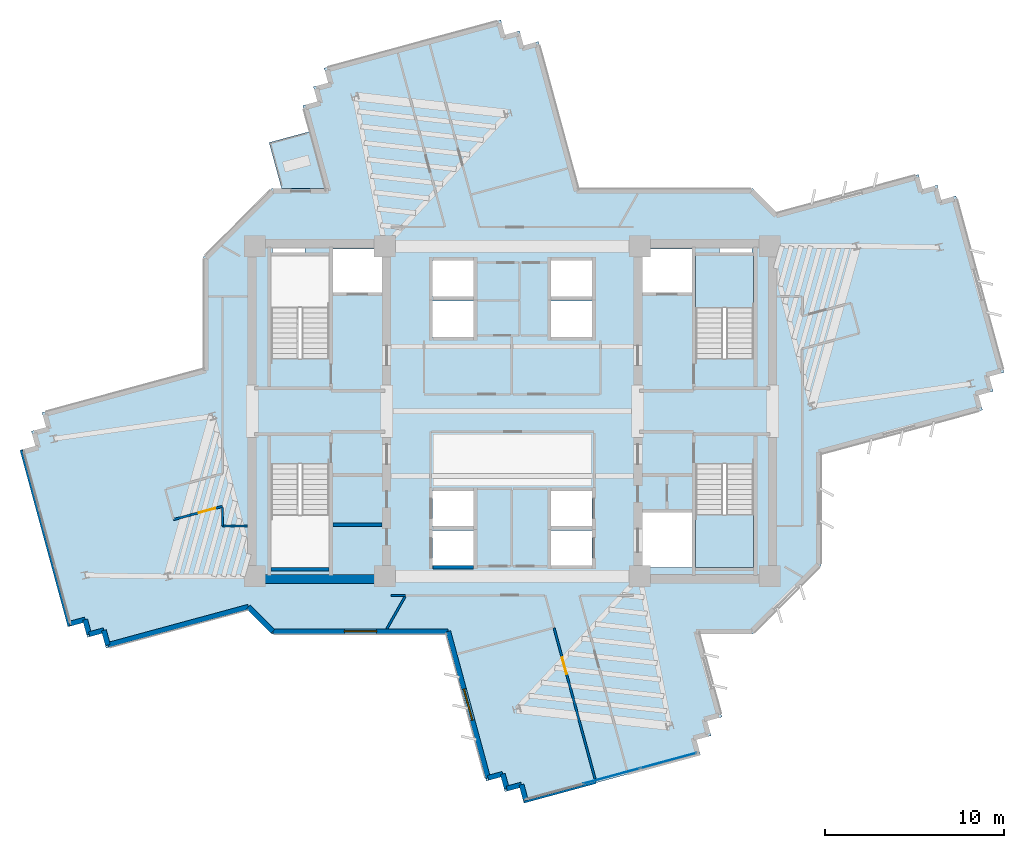
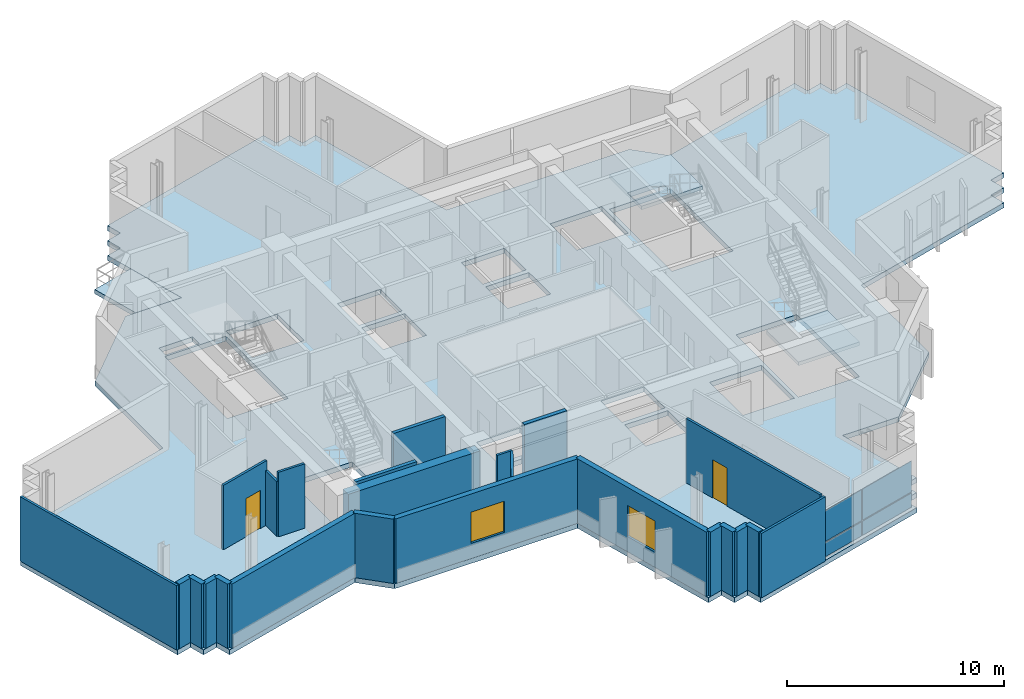
# One storey, part 7 of 15: 24 walls, 4 plates, 4 slabs, 2 doors, 2 windows, 4 openings, 3 elements without a shape of their own.
"""IFC4 building model written with IfcOpenShell, lengths in metres."""

from ifc_helpers import new_model, si_unit, direction, frame, frame_2d, origin, origin_2d, place, context, subcontext, project, spatial, polyline, rectangle, outline, extrude, source, transform, mapped, material, layer, layer_set, type_object, element, fill, aggregate, save


model = new_model("IFC4")

# Units and contexts
model_context = context("Model", 3, precision=1e-05, world=origin(), true_north=direction((0.0, 1.0)))
body_context = subcontext(model_context, "Body", "Model", "MODEL_VIEW")
ifc_project = project(units=[si_unit("LENGTHUNIT", "METRE"), si_unit("AREAUNIT", "SQUARE_METRE"), si_unit("VOLUMEUNIT", "CUBIC_METRE"), si_unit("PLANEANGLEUNIT", "RADIAN"), si_unit("MASSUNIT", "GRAM", prefix="KILO")], contexts=[model_context])

# Site, building, storey
site_placement = place(None, origin())
site = spatial("IfcSite", under=ifc_project, at=site_placement, CompositionType="ELEMENT")
building_placement = place(site_placement, origin())
building = spatial("IfcBuilding", under=site, at=building_placement, Name="Zahravan Cultural Tower", CompositionType="ELEMENT")
storey_placement = place(building_placement, frame((0.0, 0.0, 198.0)))
storey = spatial("IfcBuildingStorey", under=building, at=storey_placement, Name="L46", CompositionType="ELEMENT", Elevation=198.0)

# Slab
ifc_material_1 = material(Name="Concrete C45/55", Category="concrete")
ifc_layer_1 = layer(ifc_material_1, 0.280029296875)
ifc_layer_set_1 = layer_set([ifc_layer_1], Name="Concrete C45/55")
slab_type_1 = type_object("IfcSlabType", Name="SL-LIB-280", PredefinedType="FLOOR", material=ifc_layer_set_1)
slab_1_placement = place(storey_placement, frame((0.0, 0.0, -0.280029296875)))
element("IfcSlab", 1, at=slab_1_placement, inside=storey, type_object=slab_type_1, Name="L46 Structural Floor Slab", PredefinedType="FLOOR", context=body_context, shape_type="SweptSolid", body=[
    extrude(outline(polyline([(50.746826171875, 38.05322265625), (49.39990234375, 39.39990234375), (39.677490234375, 39.39990234375), (37.449462890625, 47.6005859375), (36.629150390625, 47.377685546875), (36.40625, 48.197998046875), (35.5859375, 47.975341796875), (35.36328125, 48.79541015625), (25.52001953125, 46.12109375), (25.742919921875, 45.30078125), (24.922607421875, 45.078125), (25.1455078125, 44.2578125), (24.3251953125, 44.034912109375), (25.58447265625, 39.39990234375), (22.60009765625, 39.39990234375), (18.800048828125, 35.60009765625), (18.800048828125, 29.373291015625), (9.80224609375, 26.9287109375), (10.025146484375, 26.1083984375), (9.204833984375, 25.885498046875), (9.427734375, 25.065185546875), (8.607421875, 24.842529296875), (11.28173828125, 14.999267578125), (12.10205078125, 15.22216796875), (12.32470703125, 14.40185546875), (13.14501953125, 14.624755859375), (13.367919921875, 13.804443359375), (21.253173828125, 15.94677734375), (22.60009765625, 14.60009765625), (32.322509765625, 14.60009765625), (34.550537109375, 6.3994140625), (35.370849609375, 6.622314453125), (35.59375, 5.802001953125), (36.4140625, 6.024658203125), (36.63671875, 5.20458984375), (46.47998046875, 7.87890625), (46.257080078125, 8.69921875), (47.077392578125, 8.921875), (46.8544921875, 9.7421875), (47.6748046875, 9.965087890625), (46.41552734375, 14.60009765625), (49.39990234375, 14.60009765625), (53.199951171875, 18.39990234375), (53.199951171875, 24.626708984375), (62.19775390625, 27.0712890625), (61.974853515625, 27.8916015625), (62.795166015625, 28.114501953125), (62.572265625, 28.934814453125), (63.392578125, 29.157470703125), (60.71826171875, 39.000732421875), (59.89794921875, 38.77783203125), (59.67529296875, 39.59814453125), (58.85498046875, 39.375244140625), (58.632080078125, 40.195556640625), (50.746826171875, 38.05322265625)]), holes=[polyline([(22.550048828125, 29.949951171875), (22.550048828125, 35.699951171875), (25.800048828125, 35.699951171875), (25.800048828125, 29.949951171875), (22.550048828125, 29.949951171875)]), polyline([(22.550048828125, 18.300048828125), (22.550048828125, 24.050048828125), (25.800048828125, 24.050048828125), (25.800048828125, 18.300048828125), (22.550048828125, 18.300048828125)]), polyline([(46.199951171875, 29.949951171875), (46.199951171875, 35.699951171875), (49.449951171875, 35.699951171875), (49.449951171875, 29.949951171875), (46.199951171875, 29.949951171875)]), polyline([(46.199951171875, 18.300048828125), (46.199951171875, 24.050048828125), (49.449951171875, 24.050048828125), (49.449951171875, 18.300048828125), (46.199951171875, 18.300048828125)]), polyline([(26.0, 33.60009765625), (26.0, 36.050048828125), (28.75, 36.050048828125), (28.75, 33.60009765625), (26.0, 33.60009765625)]), polyline([(43.25, 33.60009765625), (43.25, 36.050048828125), (46.0, 36.050048828125), (46.0, 33.60009765625), (43.25, 33.60009765625)]), polyline([(43.25, 18.300048828125), (43.25, 21.35009765625), (46.0, 21.35009765625), (46.0, 18.300048828125), (43.25, 18.300048828125)]), polyline([(31.550048828125, 33.39990234375), (31.550048828125, 35.39990234375), (33.85009765625, 35.39990234375), (33.85009765625, 33.39990234375), (31.550048828125, 33.39990234375)]), polyline([(31.550048828125, 31.14990234375), (31.550048828125, 33.14990234375), (33.85009765625, 33.14990234375), (33.85009765625, 31.14990234375), (31.550048828125, 31.14990234375)]), polyline([(38.14990234375, 33.39990234375), (38.14990234375, 35.39990234375), (40.449951171875, 35.39990234375), (40.449951171875, 33.39990234375), (38.14990234375, 33.39990234375)]), polyline([(38.14990234375, 31.14990234375), (38.14990234375, 33.14990234375), (40.449951171875, 33.14990234375), (40.449951171875, 31.14990234375), (38.14990234375, 31.14990234375)]), polyline([(31.550048828125, 20.60009765625), (31.550048828125, 22.550048828125), (33.85009765625, 22.550048828125), (33.85009765625, 20.60009765625), (31.550048828125, 20.60009765625)]), polyline([(31.550048828125, 18.39990234375), (31.550048828125, 20.35009765625), (33.85009765625, 20.35009765625), (33.85009765625, 18.39990234375), (31.550048828125, 18.39990234375)]), polyline([(38.14990234375, 20.60009765625), (38.14990234375, 22.550048828125), (40.449951171875, 22.550048828125), (40.449951171875, 20.60009765625), (38.14990234375, 20.60009765625)]), polyline([(38.14990234375, 18.39990234375), (38.14990234375, 20.35009765625), (40.449951171875, 20.35009765625), (40.449951171875, 18.39990234375), (38.14990234375, 18.39990234375)]), polyline([(22.64990234375, 35.800048828125), (22.64990234375, 36.419921875), (24.449951171875, 36.419921875), (24.449951171875, 35.800048828125), (22.64990234375, 35.800048828125)]), polyline([(47.550048828125, 35.800048828125), (47.550048828125, 36.419921875), (49.35009765625, 36.419921875), (49.35009765625, 35.800048828125), (47.550048828125, 35.800048828125)])]), origin(), (0.0, 0.0, 1.0), 0.280029296875),
])

# Stair, slab
stair_type = type_object("IfcStairType", Name="STR-DL-1550-390", PredefinedType="HALF_TURN_STAIR", material=ifc_material_1)
stair_1_placement = place(storey_placement, origin())
stair_1 = element("IfcStair", 2, at=stair_1_placement, inside=storey, type_object=stair_type, Name="L46 East Core North Exit Stair ST-E1", PredefinedType="HALF_TURN_STAIR")
ifc_layer_2 = layer(ifc_material_1, 0.199951171875)
ifc_layer_set_2 = layer_set([ifc_layer_2], Name="Concrete C45/55")
slab_type_2 = type_object("IfcSlabType", Name="SL-STAIR-LND200", PredefinedType="LANDING", material=ifc_layer_set_2)
slab_2_placement = place(storey_placement, frame((0.0, 0.0, 1.75)))
slab_2 = element("IfcSlab", 3, at=slab_2_placement, type_object=slab_type_2, Name="ST-E1 landing 1", PredefinedType="LANDING", context=body_context, shape_type="SweptSolid", body=[
    extrude(outline(polyline([(49.449951171875, 32.75), (49.449951171875, 35.699951171875), (46.199951171875, 35.699951171875), (46.199951171875, 32.75), (49.449951171875, 32.75)])), origin(), (0.0, 0.0, 1.0), 0.199951171875),
])
aggregate(stair_1, [slab_2])

stair_2_placement = place(storey_placement, origin())
stair_2 = element("IfcStair", 4, at=stair_2_placement, inside=storey, type_object=stair_type, Name="L46 East Core South Exit Stair ST-E2", PredefinedType="HALF_TURN_STAIR")
slab_3_placement = place(storey_placement, frame((0.0, 0.0, 1.75)))
slab_3 = element("IfcSlab", 5, at=slab_3_placement, type_object=slab_type_2, Name="ST-E2 landing 1", PredefinedType="LANDING", context=body_context, shape_type="SweptSolid", body=[
    extrude(outline(polyline([(46.199951171875, 21.25), (46.199951171875, 18.300048828125), (49.449951171875, 18.300048828125), (49.449951171875, 21.25), (46.199951171875, 21.25)])), origin(), (0.0, 0.0, 1.0), 0.199951171875),
])
aggregate(stair_2, [slab_3])

# Slab
ifc_material_2 = material(Name="Concrete C40/50", Category="concrete")
ifc_layer_3 = layer(ifc_material_2, 0.239990234375)
ifc_layer_set_3 = layer_set([ifc_layer_3], Name="Concrete C40/50")
slab_type_3 = type_object("IfcSlabType", Name="SL-TERR-240", PredefinedType="FLOOR", material=ifc_layer_set_3)
slab_4_placement = place(storey_placement, frame((0.0, 0.0, -0.239990234375)))
element("IfcSlab", 6, at=slab_4_placement, inside=storey, type_object=slab_type_3, Name="L46 Planted Sculpture Terrace NW", PredefinedType="FLOOR", context=body_context, shape_type="SweptSolid", body=[
    extrude(outline(polyline([(22.45068359375, 41.97119140625), (23.14794921875, 39.405029296875), (25.577880859375, 39.405029296875), (24.713623046875, 42.586181640625), (22.45068359375, 41.97119140625)])), origin(), (0.0, 0.0, 1.0), 0.239990234375),
])

# Curtain wall, plates
ifc_material_3 = material(Name="Anodised bronze-aluminium mullion", Category="aluminium")
ifc_layer_4 = layer(ifc_material_3, 0.179931640625)
ifc_layer_set_4 = layer_set([ifc_layer_4], Name="Anodised bronze-aluminium mullion")
curtain_wall_type = type_object("IfcCurtainWallType", Name="CW-SYS-3", PredefinedType="USERDEFINED", material=ifc_layer_set_4)
curtain_wall_placement = place(storey_placement, origin())
curtain_wall = element("IfcCurtainWall", 7, at=curtain_wall_placement, inside=storey, type_object=curtain_wall_type, Name="L46 Recessed Curtain Wall CW-3.1", ObjectType="RECESSED GLAZING", PredefinedType="USERDEFINED")
ifc_material_4 = material(Name="Low-E solar-control double glazing", Category="glass")
ifc_layer_5 = layer(ifc_material_4, 0.028076171875)
ifc_layer_set_5 = layer_set([ifc_layer_5], Name="Low-E solar-control double glazing")
plate_type = type_object("IfcPlateType", Name="CWP-CW-3", PredefinedType="CURTAIN_PANEL", material=ifc_layer_set_5)
shared_shape_1 = source(origin(), body_context, "Body", "SweptSolid", [
    extrude(rectangle(XDim=3.20166015625, YDim=0.028076171875, at=origin_2d()), origin(), (0.0, 0.0, 1.0), 0.794921875),
])
plate_1_placement = place(storey_placement, frame((44.69580078125, 7.5390625, 0.070068359375), z_axis=(0.0, 0.0, 1.0), x_axis=(-0.96501717126, -0.262186687636, 0.0)))
plate_1 = element("IfcPlate", 8, at=plate_1_placement, type_object=plate_type, Name="CW-3 panel 1.1", PredefinedType="CURTAIN_PANEL", context=body_context, shape_type="MappedRepresentation", body=[
    mapped(shared_shape_1, transform((0.0, 0.0, 0.0), x_axis=(1.0, 0.0, 0.0), y_axis=(0.0, 1.0, 0.0), z_axis=(0.0, 0.0, 1.0), scale=1.0)),
])
shared_shape_2 = source(origin(), body_context, "Body", "SweptSolid", [
    extrude(rectangle(XDim=3.20166015625, YDim=0.028076171875, at=origin_2d()), origin(), (0.0, 0.0, 1.0), 1.735107421875),
])
plate_2_placement = place(storey_placement, frame((44.69580078125, 7.5390625, 0.93505859375), z_axis=(0.0, 0.0, 1.0), x_axis=(-0.96501717126, -0.262186687636, 0.0)))
plate_2 = element("IfcPlate", 9, at=plate_2_placement, type_object=plate_type, Name="CW-3 panel 1.2", PredefinedType="CURTAIN_PANEL", context=body_context, shape_type="MappedRepresentation", body=[
    mapped(shared_shape_2, transform((0.0, 0.0, 0.0), x_axis=(1.0, 0.0, 0.0), y_axis=(0.0, 1.0, 0.0), z_axis=(0.0, 0.0, 1.0), scale=1.0)),
])
shared_shape_3 = source(origin(), body_context, "Body", "SweptSolid", [
    extrude(rectangle(XDim=3.236572265625, YDim=0.028076171875, at=origin_2d()), origin(), (0.0, 0.0, 1.0), 0.794921875),
])
plate_3_placement = place(storey_placement, frame((41.521728515625, 6.6767578125, 0.070068359375), z_axis=(0.0, 0.0, 1.0), x_axis=(-0.96501717126, -0.262186687636, 0.0)))
plate_3 = element("IfcPlate", 10, at=plate_3_placement, type_object=plate_type, Name="CW-3 panel 2.1", PredefinedType="CURTAIN_PANEL", context=body_context, shape_type="MappedRepresentation", body=[
    mapped(shared_shape_3, transform((0.0, 0.0, 0.0), x_axis=(1.0, 0.0, 0.0), y_axis=(0.0, 1.0, 0.0), z_axis=(0.0, 0.0, 1.0), scale=1.0)),
])
shared_shape_4 = source(origin(), body_context, "Body", "SweptSolid", [
    extrude(rectangle(XDim=3.236572265625, YDim=0.028076171875, at=origin_2d()), origin(), (0.0, 0.0, 1.0), 1.735107421875),
])
plate_4_placement = place(storey_placement, frame((41.521728515625, 6.6767578125, 0.93505859375), z_axis=(0.0, 0.0, 1.0), x_axis=(-0.96501717126, -0.262186687636, 0.0)))
plate_4 = element("IfcPlate", 11, at=plate_4_placement, type_object=plate_type, Name="CW-3 panel 2.2", PredefinedType="CURTAIN_PANEL", context=body_context, shape_type="MappedRepresentation", body=[
    mapped(shared_shape_4, transform((0.0, 0.0, 0.0), x_axis=(1.0, 0.0, 0.0), y_axis=(0.0, 1.0, 0.0), z_axis=(0.0, 0.0, 1.0), scale=1.0)),
])
aggregate(curtain_wall, [plate_1, plate_2, plate_3, plate_4])

# Wall, opening, window
ifc_material_5 = material(Name="Precast concrete C40/50", Category="concrete")
ifc_layer_6 = layer(ifc_material_5, 0.280029296875)
ifc_layer_set_6 = layer_set([ifc_layer_6], Name="Precast concrete C40/50")
wall_type_1 = type_object("IfcWallType", Name="EW-TC-280", PredefinedType="SOLIDWALL", material=ifc_layer_set_6)
wall_1_placement = place(storey_placement, frame((34.64892578125, 6.571044921875, 0.0), z_axis=(0.0, 0.0, 1.0), x_axis=(-0.262192380254, 0.965015624608, 0.0)))
wall_1 = element("IfcWall", 12, at=wall_1_placement, inside=storey, type_object=wall_type_1, Name="L46 Exterior Masonry Frame Wall 24", PredefinedType="SOLIDWALL", context=body_context, shape_type="SweptSolid", body=[
    extrude(rectangle(XDim=8.465087890625, YDim=0.280029296875, at=frame_2d((4.232421875, 0.0))), origin(), (0.0, 0.0, 1.0), 3.6201171875),
])
opening_1_placement = place(wall_1_placement, frame((3.3330078125, 0.0, 0.85009765625)))
opening_1 = element("IfcOpeningElement", 13, at=opening_1_placement, cuts=wall_1, Name="Opening WN-02", PredefinedType="OPENING", context=body_context, shape_type="SweptSolid", body=[
    extrude(rectangle(XDim=1.800048828125, YDim=1.75, at=frame_2d((0.89990234375, 0.875))), frame((0.0, 0.14990234375, 0.0), z_axis=(0.0, -1.0, 0.0), x_axis=(1.0, 0.0, 0.0)), (0.0, 0.0, 1.0), 0.300048828125),
])
window_type = type_object("IfcWindowType", Name="WN-REC-1800X1750", PartitioningType="DOUBLE_PANEL_VERTICAL", PredefinedType="WINDOW", material=ifc_material_4)
shared_shape_5 = source(origin(), body_context, "Body", "SweptSolid", [
    extrude(rectangle(XDim=1.800048828125, YDim=1.75, at=frame_2d((0.89990234375, 0.875))), frame((0.0, 0.030029296875, 0.0), z_axis=(0.0, -1.0, 0.0), x_axis=(1.0, 0.0, 0.0)), (0.0, 0.0, 1.0), 0.06005859375),
])
window_1_placement = place(opening_1_placement, origin())
window_1 = element("IfcWindow", 14, at=window_1_placement, inside=storey, type_object=window_type, Name="L46 Recessed Solar Window 07", OverallHeight=1.75, OverallWidth=1.800048828125, PartitioningType="DOUBLE_PANEL_VERTICAL", PredefinedType="WINDOW", context=body_context, shape_type="MappedRepresentation", body=[
    mapped(shared_shape_5, transform((0.0, 0.0, 0.0), x_axis=(1.0, 0.0, 0.0), y_axis=(0.0, 1.0, 0.0), z_axis=(0.0, 0.0, 1.0), scale=1.0)),
])
fill(opening_1, window_1)

wall_2_placement = place(storey_placement, frame((32.429443359375, 14.739990234375, 0.0), z_axis=(0.0, 0.0, 1.0), x_axis=(-1.0, 0.0, 0.0)))
wall_2 = element("IfcWall", 15, at=wall_2_placement, inside=storey, type_object=wall_type_1, Name="L46 Exterior Masonry Frame Wall 25", PredefinedType="SOLIDWALL", context=body_context, shape_type="SweptSolid", body=[
    extrude(rectangle(XDim=9.771484375, YDim=0.280029296875, at=frame_2d((4.8857421875, 0.0))), origin(), (0.0, 0.0, 1.0), 3.6201171875),
])
opening_2_placement = place(wall_2_placement, frame((3.986083984375, 0.0, 0.85009765625)))
opening_2 = element("IfcOpeningElement", 16, at=opening_2_placement, cuts=wall_2, Name="Opening WN-02", PredefinedType="OPENING", context=body_context, shape_type="SweptSolid", body=[
    extrude(rectangle(XDim=1.800048828125, YDim=1.75, at=frame_2d((0.89990234375, 0.875))), frame((0.0, 0.14990234375, 0.0), z_axis=(0.0, -1.0, 0.0), x_axis=(1.0, 0.0, 0.0)), (0.0, 0.0, 1.0), 0.300048828125),
])
window_2_placement = place(opening_2_placement, origin())
window_2 = element("IfcWindow", 17, at=window_2_placement, inside=storey, type_object=window_type, Name="L46 Recessed Solar Window 08", OverallHeight=1.75, OverallWidth=1.800048828125, PartitioningType="DOUBLE_PANEL_VERTICAL", PredefinedType="WINDOW", context=body_context, shape_type="MappedRepresentation", body=[
    mapped(shared_shape_5, transform((0.0, 0.0, 0.0), x_axis=(1.0, 0.0, 0.0), y_axis=(0.0, 1.0, 0.0), z_axis=(0.0, 0.0, 1.0), scale=1.0)),
])
fill(opening_2, window_2)

# Wall, opening, door
ifc_material_6 = material(Name="Gypsum plasterboard partition")
ifc_layer_7 = layer(ifc_material_6, 0.125)
ifc_layer_set_7 = layer_set([ifc_layer_7], Name="Gypsum plasterboard partition")
wall_type_2 = type_object("IfcWallType", Name="W-PART-125", PredefinedType="PARTITIONING", material=ifc_layer_set_7)
wall_3_placement = place(storey_placement, frame((38.329345703125, 14.91796875, 0.0), z_axis=(0.0, 0.0, 1.0), x_axis=(0.262166936223, -0.965022537328, 0.0)))
wall_3 = element("IfcWall", 18, at=wall_3_placement, inside=storey, type_object=wall_type_2, Name="L46 Interior Wall 085", PredefinedType="PARTITIONING", context=body_context, shape_type="SweptSolid", body=[
    extrude(rectangle(XDim=8.695068359375, YDim=0.125, at=frame_2d((4.34765625, 0.0))), origin(), (0.0, 0.0, 1.0), 3.6201171875),
])
opening_3_placement = place(wall_3_placement, frame((1.703857421875, 0.0, 0.0)))
opening_3 = element("IfcOpeningElement", 19, at=opening_3_placement, cuts=wall_3, Name="Opening D-L46-26", PredefinedType="OPENING", context=body_context, shape_type="SweptSolid", body=[
    extrude(rectangle(XDim=0.949951171875, YDim=2.14990234375, at=frame_2d((0.47509765625, 1.074951171875))), frame((0.0, 0.072509765625, 0.0), z_axis=(0.0, -1.0, 0.0), x_axis=(1.0, 0.0, 0.0)), (0.0, 0.0, 1.0), 0.14501953125),
])
door_type = type_object("IfcDoorType", Name="DR-ROOM-950", OperationType="NOTDEFINED", PredefinedType="DOOR", material=ifc_material_3)
shared_shape_6 = source(origin(), body_context, "Body", "SweptSolid", [
    extrude(rectangle(XDim=0.949951171875, YDim=2.14990234375, at=frame_2d((0.47509765625, 1.074951171875))), frame((0.0, 0.02490234375, 0.0), z_axis=(0.0, -1.0, 0.0), x_axis=(1.0, 0.0, 0.0)), (0.0, 0.0, 1.0), 0.050048828125),
])
door_1_placement = place(opening_3_placement, origin())
door_1 = element("IfcDoor", 20, at=door_1_placement, inside=storey, type_object=door_type, Name="L46 Door D-L46-26", OperationType="SINGLE_SWING_RIGHT", OverallHeight=2.14990234375, OverallWidth=0.949951171875, PredefinedType="DOOR", context=body_context, shape_type="MappedRepresentation", body=[
    mapped(shared_shape_6, transform((0.0, 0.0, 0.0), x_axis=(1.0, 0.0, 0.0), y_axis=(0.0, 1.0, 0.0), z_axis=(0.0, 0.0, 1.0), scale=1.0)),
])
fill(opening_3, door_1)

wall_4_placement = place(storey_placement, frame((17.127197265625, 20.96337890625, 0.0), z_axis=(0.0, 0.0, 1.0), x_axis=(0.965283220267, 0.261205483616, 0.0)))
wall_4 = element("IfcWall", 21, at=wall_4_placement, inside=storey, type_object=wall_type_2, Name="L46 Interior Wall 095", PredefinedType="PARTITIONING", context=body_context, shape_type="SweptSolid", body=[
    extrude(rectangle(XDim=2.82080078125, YDim=0.125, at=frame_2d((1.410400390625, 0.0))), origin(), (0.0, 0.0, 1.0), 3.6201171875),
])
opening_4_placement = place(wall_4_placement, frame((1.458984375, 0.0, 0.0)))
opening_4 = element("IfcOpeningElement", 22, at=opening_4_placement, cuts=wall_4, Name="Opening D-L46-24", PredefinedType="OPENING", context=body_context, shape_type="SweptSolid", body=[
    extrude(rectangle(XDim=0.949951171875, YDim=2.14990234375, at=frame_2d((0.47509765625, 1.074951171875))), frame((0.0, 0.072509765625, 0.0), z_axis=(0.0, -1.0, 0.0), x_axis=(1.0, 0.0, 0.0)), (0.0, 0.0, 1.0), 0.14501953125),
])
door_2_placement = place(opening_4_placement, origin())
door_2 = element("IfcDoor", 23, at=door_2_placement, inside=storey, type_object=door_type, Name="L46 Door D-L46-24", OperationType="SINGLE_SWING_RIGHT", OverallHeight=2.14990234375, OverallWidth=0.949951171875, PredefinedType="DOOR", context=body_context, shape_type="MappedRepresentation", body=[
    mapped(shared_shape_6, transform((0.0, 0.0, 0.0), x_axis=(1.0, 0.0, 0.0), y_axis=(0.0, 1.0, 0.0), z_axis=(0.0, 0.0, 1.0), scale=1.0)),
])
fill(opening_4, door_2)

# Walls
ifc_material_7 = material(Name="Concrete C60/75", Category="concrete")
ifc_layer_8 = layer(ifc_material_7, 0.5)
ifc_layer_set_8 = layer_set([ifc_layer_8], Name="Concrete C60/75")
wall_type_3 = type_object("IfcWallType", Name="CW-SHEAR-500-C60", PredefinedType="SHEAR", material=ifc_layer_set_8)
shared_shape_7 = source(origin(), body_context, "Body", "SweptSolid", [
    extrude(rectangle(XDim=7.0, YDim=0.5, at=frame_2d((3.5, 0.0))), origin(), (0.0, 0.0, 1.0), 3.6201171875),
])
wall_5_placement = place(storey_placement, frame((21.75, 17.64990234375, 0.0), z_axis=(0.0, 0.0, 1.0), x_axis=(1.0, 0.0, 0.0)))
element("IfcWall", 24, at=wall_5_placement, inside=storey, type_object=wall_type_3, Name="L46 Core Shear Wall CW-W-S-L46", PredefinedType="SHEAR", context=body_context, shape_type="MappedRepresentation", body=[
    mapped(shared_shape_7, transform((0.0, 0.0, 0.0), x_axis=(1.0, 0.0, 0.0), y_axis=(0.0, 1.0, 0.0), z_axis=(0.0, 0.0, 1.0), scale=1.0)),
])
shared_shape_8 = source(origin(), body_context, "Body", "SweptSolid", [
    extrude(rectangle(XDim=0.85009765625, YDim=0.280029296875, at=frame_2d((0.425048828125, 0.0))), origin(), (0.0, 0.0, 1.0), 3.6201171875),
])
for number, where, z_axis, x_axis, name in (
    (25, (36.735107421875, 5.376220703125, 0.0), (0.0, 0.0, 1.0), (-0.261950631675, 0.965081274591, 0.0), "L46 Exterior Masonry Frame Wall 20"),
    (26, (36.512451171875, 6.196533203125, 0.0), (0.0, 0.0, 1.0), (-0.965008631059, -0.262218119094, 0.0), "L46 Exterior Masonry Frame Wall 21"),
    (27, (35.692138671875, 5.9736328125, 0.0), (0.0, 0.0, 1.0), (-0.262218119094, 0.965008631059, 0.0), "L46 Exterior Masonry Frame Wall 22"),
    (28, (35.46923828125, 6.7939453125, 0.0), (0.0, 0.0, 1.0), (-0.965008631059, -0.262218119094, 0.0), "L46 Exterior Masonry Frame Wall 23"),
    (29, (13.46630859375, 13.976318359375, 0.0), (0.0, 0.0, 1.0), (-0.262218119094, 0.965008631059, 0.0), "L46 Exterior Masonry Frame Wall 28"),
    (30, (13.243408203125, 14.796630859375, 0.0), (0.0, 0.0, 1.0), (-0.965008631059, -0.262218119094, 0.0), "L46 Exterior Masonry Frame Wall 29"),
    (31, (12.423095703125, 14.57373046875, 0.0), (0.0, 0.0, 1.0), (-0.261950631675, 0.965081274591, 0.0), "L46 Exterior Masonry Frame Wall 30"),
    (32, (12.200439453125, 15.39404296875, 0.0), (0.0, 0.0, 1.0), (-0.965008631059, -0.262218119094, 0.0), "L46 Exterior Masonry Frame Wall 31"),
):
    element("IfcWall", number, at=place(storey_placement, frame(where, z_axis=z_axis, x_axis=x_axis)), inside=storey, type_object=wall_type_1, Name=name, PredefinedType="SOLIDWALL", context=body_context, shape_type="MappedRepresentation", body=[
        mapped(shared_shape_8, transform((0.0, 0.0, 0.0), x_axis=(1.0, 0.0, 0.0), y_axis=(0.0, 1.0, 0.0), z_axis=(0.0, 0.0, 1.0), scale=1.0)),
    ])
shared_shape_9 = source(origin(), body_context, "Body", "SweptSolid", [
    extrude(rectangle(XDim=1.927734375, YDim=0.280029296875, at=frame_2d((0.9638671875, 0.0))), origin(), (0.0, 0.0, 1.0), 3.6201171875),
])
wall_6_placement = place(storey_placement, frame((22.657958984375, 14.739990234375, 0.0), z_axis=(0.0, 0.0, 1.0), x_axis=(-0.707043457246, 0.707170099456, 0.0)))
element("IfcWall", 33, at=wall_6_placement, inside=storey, type_object=wall_type_1, Name="L46 Exterior Masonry Frame Wall 26", PredefinedType="SOLIDWALL", context=body_context, shape_type="MappedRepresentation", body=[
    mapped(shared_shape_9, transform((0.0, 0.0, 0.0), x_axis=(1.0, 0.0, 0.0), y_axis=(0.0, 1.0, 0.0), z_axis=(0.0, 0.0, 1.0), scale=1.0)),
])
shared_shape_10 = source(origin(), body_context, "Body", "SweptSolid", [
    extrude(rectangle(XDim=8.1123046875, YDim=0.280029296875, at=frame_2d((4.05615234375, 0.0))), origin(), (0.0, 0.0, 1.0), 3.6201171875),
])
wall_7_placement = place(storey_placement, frame((21.294921875, 16.103271484375, 0.0), z_axis=(0.0, 0.0, 1.0), x_axis=(-0.965017555758, -0.262185272431, 0.0)))
element("IfcWall", 34, at=wall_7_placement, inside=storey, type_object=wall_type_1, Name="L46 Exterior Masonry Frame Wall 27", PredefinedType="SOLIDWALL", context=body_context, shape_type="MappedRepresentation", body=[
    mapped(shared_shape_10, transform((0.0, 0.0, 0.0), x_axis=(1.0, 0.0, 0.0), y_axis=(0.0, 1.0, 0.0), z_axis=(0.0, 0.0, 1.0), scale=1.0)),
])
ifc_layer_9 = layer(ifc_material_1, 0.199951171875)
ifc_layer_set_9 = layer_set([ifc_layer_9], Name="Concrete C45/55")
wall_type_4 = type_object("IfcWallType", Name="W-SHAFT-200", PredefinedType="SOLIDWALL", material=ifc_layer_set_9)
shared_shape_11 = source(origin(), body_context, "Body", "SweptSolid", [
    extrude(rectangle(XDim=3.25, YDim=0.199951171875, at=frame_2d((1.625, 0.0))), origin(), (0.0, 0.0, 1.0), 3.6201171875),
])
wall_8_placement = place(storey_placement, frame((22.550048828125, 18.199951171875, 0.0), z_axis=(0.0, 0.0, 1.0), x_axis=(1.0, 0.0, 0.0)))
element("IfcWall", 35, at=wall_8_placement, inside=storey, type_object=wall_type_4, Name="L46 Interior Wall 019", PredefinedType="SOLIDWALL", context=body_context, shape_type="MappedRepresentation", body=[
    mapped(shared_shape_11, transform((0.0, 0.0, 0.0), x_axis=(1.0, 0.0, 0.0), y_axis=(0.0, 1.0, 0.0), z_axis=(0.0, 0.0, 1.0), scale=1.0)),
])
ifc_layer_10 = layer(ifc_material_6, 0.179931640625)
ifc_layer_set_10 = layer_set([ifc_layer_10], Name="Gypsum plasterboard partition")
wall_type_5 = type_object("IfcWallType", Name="W-COMP-180", PredefinedType="PARTITIONING", material=ifc_layer_set_10)
shared_shape_12 = source(origin(), body_context, "Body", "SweptSolid", [
    extrude(rectangle(XDim=2.75, YDim=0.179931640625, at=frame_2d((1.375, 0.0))), origin(), (0.0, 0.0, 1.0), 3.6201171875),
])
wall_9_placement = place(storey_placement, frame((26.0, 20.679931640625, 0.0), z_axis=(0.0, 0.0, 1.0), x_axis=(1.0, 0.0, 0.0)))
element("IfcWall", 36, at=wall_9_placement, inside=storey, type_object=wall_type_5, Name="L46 Interior Wall 026", PredefinedType="PARTITIONING", context=body_context, shape_type="MappedRepresentation", body=[
    mapped(shared_shape_12, transform((0.0, 0.0, 0.0), x_axis=(1.0, 0.0, 0.0), y_axis=(0.0, 1.0, 0.0), z_axis=(0.0, 0.0, 1.0), scale=1.0)),
])
shared_shape_13 = source(origin(), body_context, "Body", "SweptSolid", [
    extrude(rectangle(XDim=2.260009765625, YDim=0.199951171875, at=frame_2d((1.1298828125, 0.0))), origin(), (0.0, 0.0, 1.0), 3.6201171875),
])
wall_10_placement = place(storey_placement, frame((31.570068359375, 18.300048828125, 0.0), z_axis=(0.0, 0.0, 1.0), x_axis=(1.0, 0.0, 0.0)))
element("IfcWall", 37, at=wall_10_placement, inside=storey, type_object=wall_type_4, Name="L46 Interior Wall 048", PredefinedType="SOLIDWALL", context=body_context, shape_type="MappedRepresentation", body=[
    mapped(shared_shape_13, transform((0.0, 0.0, 0.0), x_axis=(1.0, 0.0, 0.0), y_axis=(0.0, 1.0, 0.0), z_axis=(0.0, 0.0, 1.0), scale=1.0)),
])
shared_shape_14 = source(origin(), body_context, "Body", "SweptSolid", [
    extrude(rectangle(XDim=4.159912109375, YDim=0.125, at=frame_2d((2.080078125, 0.0))), origin(), (0.0, 0.0, 1.0), 3.6201171875),
])
wall_11_placement = place(storey_placement, frame((40.665283203125, 6.319580078125, 0.0), z_axis=(0.0, 0.0, 1.0), x_axis=(-0.965023387541, -0.262163806614, 0.0)))
element("IfcWall", 38, at=wall_11_placement, inside=storey, type_object=wall_type_2, Name="L46 Interior Wall 086", PredefinedType="PARTITIONING", context=body_context, shape_type="MappedRepresentation", body=[
    mapped(shared_shape_14, transform((0.0, 0.0, 0.0), x_axis=(1.0, 0.0, 0.0), y_axis=(0.0, 1.0, 0.0), z_axis=(0.0, 0.0, 1.0), scale=1.0)),
])
shared_shape_15 = source(origin(), body_context, "Body", "SweptSolid", [
    extrude(rectangle(XDim=2.060791015625, YDim=0.125, at=frame_2d((1.0302734375, 0.0))), origin(), (0.0, 0.0, 1.0), 3.6201171875),
])
wall_12_placement = place(storey_placement, frame((29.0126953125, 14.885009765625, 0.0), z_axis=(0.0, 0.0, 1.0), x_axis=(0.492818271576, 0.870132260752, 0.0)))
element("IfcWall", 39, at=wall_12_placement, inside=storey, type_object=wall_type_2, Name="L46 Interior Wall 080", PredefinedType="PARTITIONING", context=body_context, shape_type="MappedRepresentation", body=[
    mapped(shared_shape_15, transform((0.0, 0.0, 0.0), x_axis=(1.0, 0.0, 0.0), y_axis=(0.0, 1.0, 0.0), z_axis=(0.0, 0.0, 1.0), scale=1.0)),
])
shared_shape_16 = source(origin(), body_context, "Body", "SweptSolid", [
    extrude(rectangle(XDim=1.028076171875, YDim=0.125, at=frame_2d((0.51416015625, 0.0))), origin(), (0.0, 0.0, 1.0), 3.0791015625),
])
wall_13_placement = place(storey_placement, frame((19.85009765625, 21.63037109375, 0.0), z_axis=(0.0, 0.0, 1.0), x_axis=(0.001187365584, -0.999999295081, 0.0)))
element("IfcWall", 40, at=wall_13_placement, inside=storey, type_object=wall_type_2, Name="L46 Interior Wall 096", PredefinedType="PARTITIONING", context=body_context, shape_type="MappedRepresentation", body=[
    mapped(shared_shape_16, transform((0.0, 0.0, 0.0), x_axis=(1.0, 0.0, 0.0), y_axis=(0.0, 1.0, 0.0), z_axis=(0.0, 0.0, 1.0), scale=1.0)),
])
shared_shape_17 = source(origin(), body_context, "Body", "SweptSolid", [
    extrude(rectangle(XDim=1.389892578125, YDim=0.125, at=frame_2d((0.69482421875, 0.0))), origin(), (0.0, 0.0, 1.0), 3.6201171875),
])
wall_14_placement = place(storey_placement, frame((19.855224609375, 20.602294921875, 0.0), z_axis=(0.0, 0.0, 1.0), x_axis=(0.999998750398, -0.001580886835, 0.0)))
element("IfcWall", 41, at=wall_14_placement, inside=storey, type_object=wall_type_2, Name="L46 Interior Wall 097", PredefinedType="PARTITIONING", context=body_context, shape_type="MappedRepresentation", body=[
    mapped(shared_shape_17, transform((0.0, 0.0, 0.0), x_axis=(1.0, 0.0, 0.0), y_axis=(0.0, 1.0, 0.0), z_axis=(0.0, 0.0, 1.0), scale=1.0)),
])
shared_shape_18 = source(origin(), body_context, "Body", "SweptSolid", [
    extrude(rectangle(XDim=0.791259765625, YDim=0.125, at=frame_2d((0.3955078125, 0.0))), origin(), (0.0, 0.0, 1.0), 3.6201171875),
])
wall_15_placement = place(storey_placement, frame((29.25341796875, 16.740478515625, 0.0), z_axis=(0.0, 0.0, 1.0), x_axis=(0.999999809598, -0.000617093372, 0.0)))
element("IfcWall", 42, at=wall_15_placement, inside=storey, type_object=wall_type_2, Name="L46 Interior Wall 098", PredefinedType="PARTITIONING", context=body_context, shape_type="MappedRepresentation", body=[
    mapped(shared_shape_18, transform((0.0, 0.0, 0.0), x_axis=(1.0, 0.0, 0.0), y_axis=(0.0, 1.0, 0.0), z_axis=(0.0, 0.0, 1.0), scale=1.0)),
])
shared_shape_19 = source(origin(), body_context, "Body", "SweptSolid", [
    extrude(rectangle(XDim=10.16015625, YDim=0.125, at=frame_2d((5.080078125, 0.0))), origin(), (0.0, 0.0, 1.0), 3.6201171875),
])
wall_16_placement = place(storey_placement, frame((11.295654296875, 15.02392578125, 0.0), z_axis=(0.0, 0.0, 1.0), x_axis=(-0.262161642718, 0.965023975395, 0.0)))
element("IfcWall", 43, at=wall_16_placement, inside=storey, type_object=wall_type_2, Name="L46 Interior Wall 099", PredefinedType="PARTITIONING", context=body_context, shape_type="MappedRepresentation", body=[
    mapped(shared_shape_19, transform((0.0, 0.0, 0.0), x_axis=(1.0, 0.0, 0.0), y_axis=(0.0, 1.0, 0.0), z_axis=(0.0, 0.0, 1.0), scale=1.0)),
])

save(model, "model.ifc")
